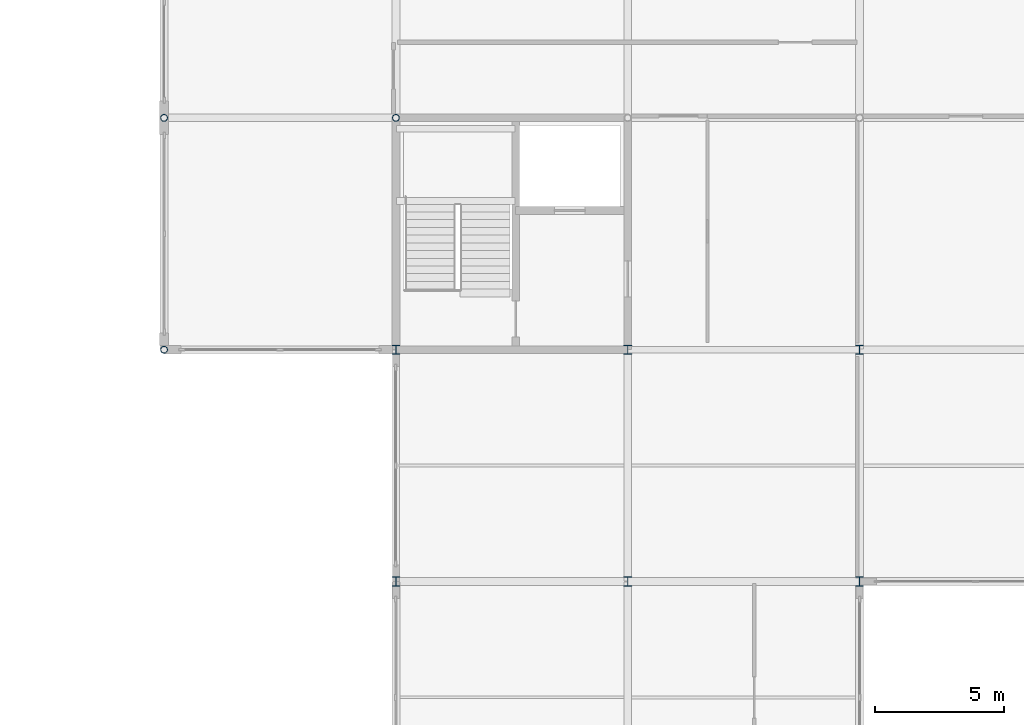
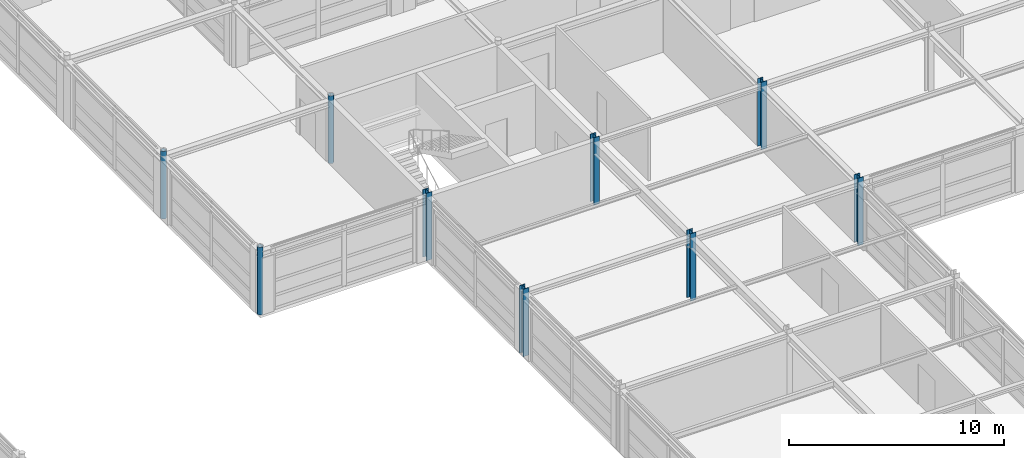
# One storey, part 7 of 79: 9 columns.
"""IFC4 building model written with IfcOpenShell, lengths in metres."""

from ifc_helpers import new_model, si_unit, direction, frame, origin, origin_2d, place, context, subcontext, project, spatial, hollow_circle, i_section, extrude, material, material_profile, profile_set, type_object, element, save


model = new_model("IFC4")

# Units and contexts
model_context = context("Model", 3, precision=1e-05, world=origin(), true_north=direction((0.0, 1.0)))
body_context = subcontext(model_context, "Body", "Model", "MODEL_VIEW")
ifc_project = project(units=[si_unit("LENGTHUNIT", "METRE"), si_unit("AREAUNIT", "SQUARE_METRE"), si_unit("VOLUMEUNIT", "CUBIC_METRE"), si_unit("PLANEANGLEUNIT", "RADIAN"), si_unit("MASSUNIT", "GRAM", prefix="KILO")], contexts=[model_context])

# Site, building, storey
site_placement = place(None, origin())
site = spatial("IfcSite", under=ifc_project, at=site_placement, CompositionType="ELEMENT")
building_placement = place(site_placement, origin())
building = spatial("IfcBuilding", under=site, at=building_placement, Name="Palais des Congres Ocreval", CompositionType="ELEMENT")
storey_placement = place(building_placement, frame((0.0, 0.0, 4.320068359375)))
storey = spatial("IfcBuildingStorey", under=building, at=storey_placement, Name="L01", CompositionType="ELEMENT", Elevation=4.320068359375)

# Columns
ifc_material = material(Name="Steel S355", Category="steel")
ifc_material_profile_1 = material_profile(ifc_material, hollow_circle(Radius=0.136474609375, WallThickness=0.012451171875, at=origin_2d()), Name="CHS 273x12.5")
ifc_profile_set_1 = profile_set([ifc_material_profile_1], Name="Steel S355")
column_type_1 = type_object("IfcColumnType", Name="Column CHS 273x12.5 Steel S355", PredefinedType="COLUMN", material=ifc_profile_set_1)
for number, where, z_axis, x_axis, name in (
    (1, (99.0, 45.0, 0.0), (0.0, 0.0, 1.0), (1.0, 0.0, 0.0), "Column C17 L01"),
    (2, (99.0, 54.0, 0.0), (0.0, 0.0, 1.0), (1.0, 0.0, 0.0), "Column C17 L01"),
    (3, (108.0, 54.0, 0.0), (0.0, 0.0, 1.0), (1.0, 0.0, 0.0), "Column C17 L01"),
):
    element("IfcColumn", number, at=place(storey_placement, frame(where, z_axis=z_axis, x_axis=x_axis)), inside=storey, type_object=column_type_1, Name=name, PredefinedType="COLUMN", context=body_context, shape_type="SweptSolid", body=[
        extrude(hollow_circle(Radius=0.136474609375, WallThickness=0.012451171875, at=origin_2d()), origin(), (0.0, 0.0, 1.0), 3.83984375),
    ])
ifc_material_profile_2 = material_profile(ifc_material, i_section(OverallWidth=0.300048828125, OverallDepth=0.360107421875, WebThickness=0.012451171875, FlangeThickness=0.0224609375, at=origin_2d()), Name="HEB 360")
ifc_profile_set_2 = profile_set([ifc_material_profile_2], Name="Steel S355")
column_type_2 = type_object("IfcColumnType", Name="Column HEB 360 Steel S355", PredefinedType="COLUMN", material=ifc_profile_set_2)
for number, where, z_axis, x_axis, name in (
    (4, (108.0, 36.0, 0.0), (0.0, 0.0, 1.0), (1.0, 0.0, 0.0), "Column C11 L01"),
    (5, (108.0, 45.0, 0.0), (0.0, 0.0, 1.0), (1.0, 0.0, 0.0), "Column C11 L01"),
    (6, (117.0, 36.0, 0.0), (0.0, 0.0, 1.0), (1.0, 0.0, 0.0), "Column C11 L01"),
    (7, (117.0, 45.0, 0.0), (0.0, 0.0, 1.0), (1.0, 0.0, 0.0), "Column C11 L01"),
    (8, (126.0, 36.0, 0.0), (0.0, 0.0, 1.0), (1.0, 0.0, 0.0), "Column C11 L01"),
    (9, (126.0, 45.0, 0.0), (0.0, 0.0, 1.0), (1.0, 0.0, 0.0), "Column C11 L01"),
):
    element("IfcColumn", number, at=place(storey_placement, frame(where, z_axis=z_axis, x_axis=x_axis)), inside=storey, type_object=column_type_2, Name=name, PredefinedType="COLUMN", context=body_context, shape_type="SweptSolid", body=[
        extrude(i_section(OverallWidth=0.300048828125, OverallDepth=0.360107421875, WebThickness=0.012451171875, FlangeThickness=0.0224609375, at=origin_2d()), origin(), (0.0, 0.0, 1.0), 3.83984375),
    ])

save(model, "model.ifc")
